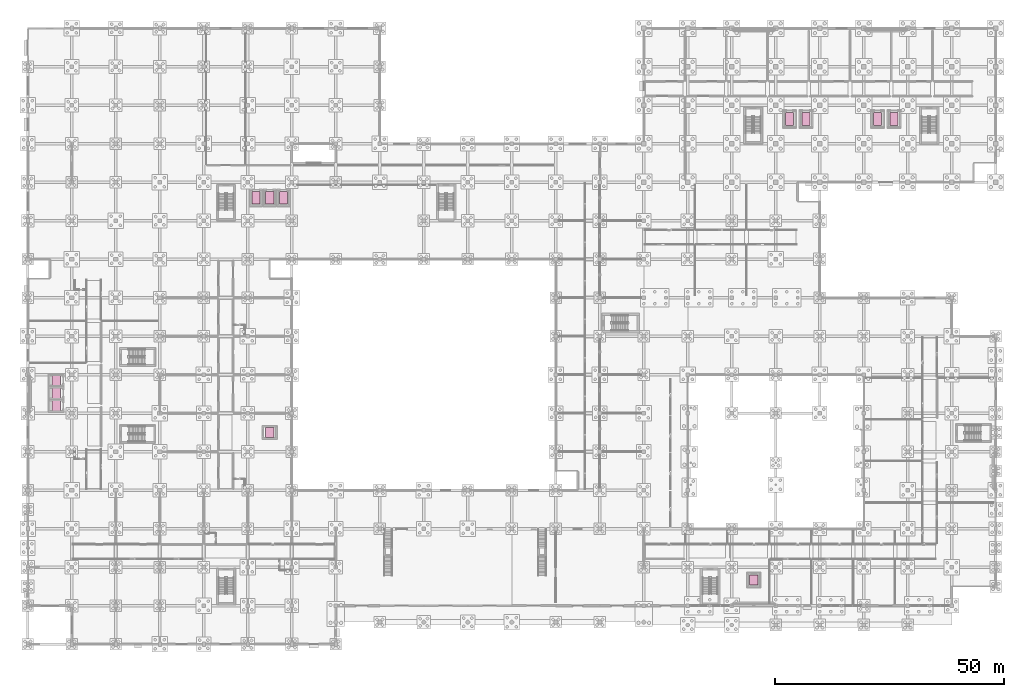
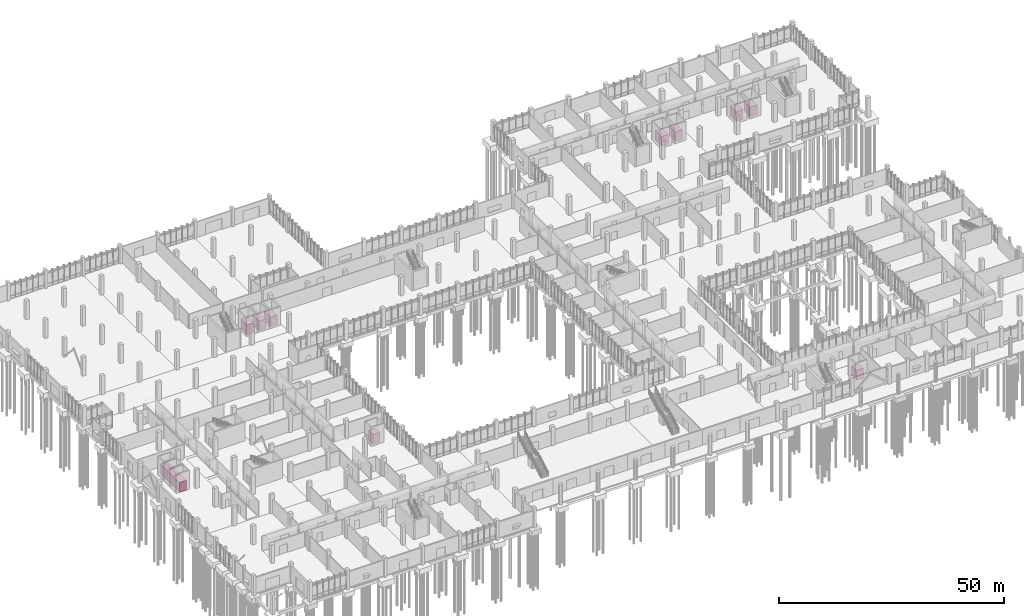
# One storey, part 136 of 136: 12 transport elements.
"""IFC4 building model written with IfcOpenShell, lengths in metres."""

from ifc_helpers import new_model, si_unit, direction, frame, origin, origin_2d, place, context, subcontext, project, spatial, rectangle, extrude, material, type_object, element, save


model = new_model("IFC4")

# Units and contexts
model_context = context("Model", 3, precision=1e-05, world=origin(), true_north=direction((0.0, 1.0)))
body_context = subcontext(model_context, "Body", "Model", "MODEL_VIEW")
ifc_project = project(units=[si_unit("LENGTHUNIT", "METRE"), si_unit("AREAUNIT", "SQUARE_METRE"), si_unit("VOLUMEUNIT", "CUBIC_METRE"), si_unit("PLANEANGLEUNIT", "RADIAN"), si_unit("MASSUNIT", "GRAM", prefix="KILO")], contexts=[model_context])

# Site, building, storey
site_placement = place(None, origin())
site = spatial("IfcSite", under=ifc_project, at=site_placement, CompositionType="ELEMENT")
building_placement = place(site_placement, origin())
building = spatial("IfcBuilding", under=site, at=building_placement, Name="Oolite Switchyard Hospital", CompositionType="ELEMENT")
storey_placement = place(building_placement, origin())
storey = spatial("IfcBuildingStorey", under=building, at=storey_placement, Name="L00", CompositionType="ELEMENT", Elevation=0.0)

# Transport elements
ifc_material = material(Name="Stainless steel hospital elevator cab assembly", Category="steel")
transport_element_type_1 = type_object("IfcTransportElementType", Name="LFT-PASS-1800", PredefinedType="ELEVATOR", material=ifc_material)
for number, where, z_axis, x_axis, name in (
    (1, (158.39990234375, 14.0, 0.0), (0.0, 0.0, 1.0), (1.0, 0.0, 0.0), "passenger EL-11"),
    (2, (52.800048828125, 46.199951171875, 0.0), (0.0, 0.0, 1.0), (1.0, 0.0, 0.0), "passenger EL-12"),
):
    element("IfcTransportElement", number, at=place(storey_placement, frame(where, z_axis=z_axis, x_axis=x_axis)), inside=storey, type_object=transport_element_type_1, Name=name, PredefinedType="ELEVATOR", context=body_context, shape_type="SweptSolid", body=[
        extrude(rectangle(XDim=1.800048828125, YDim=2.10009765625, at=origin_2d()), origin(), (0.0, 0.0, 1.0), 2.64990234375),
    ])
transport_element_type_2 = type_object("IfcTransportElementType", Name="LFT-STR-2500", PredefinedType="ELEVATOR", material=ifc_material)
for number, where, z_axis, x_axis, name in (
    (3, (166.199951171875, 114.60009765625, 0.0), (0.0, 0.0, 1.0), (1.0, 0.0, 0.0), "firefighting EL-01"),
    (4, (169.800048828125, 114.60009765625, 0.0), (0.0, 0.0, 1.0), (1.0, 0.0, 0.0), "firefighting EL-02"),
    (5, (185.39990234375, 114.60009765625, 0.0), (0.0, 0.0, 1.0), (1.0, 0.0, 0.0), "bed EL-03"),
    (6, (189.0, 114.60009765625, 0.0), (0.0, 0.0, 1.0), (1.0, 0.0, 0.0), "bed EL-04"),
    (7, (6.199951171875, 52.0, 0.0), (0.0, 0.0, 1.0), (1.0, 0.0, 0.0), "bed EL-05"),
    (8, (6.199951171875, 54.800048828125, 0.0), (0.0, 0.0, 1.0), (1.0, 0.0, 0.0), "bed EL-06"),
    (9, (6.199951171875, 57.60009765625, 0.0), (0.0, 0.0, 1.0), (1.0, 0.0, 0.0), "bed EL-07"),
    (10, (49.800048828125, 97.39990234375, 0.0), (0.0, 0.0, 1.0), (1.0, 0.0, 0.0), "bed EL-08"),
    (11, (52.800048828125, 97.39990234375, 0.0), (0.0, 0.0, 1.0), (1.0, 0.0, 0.0), "service EL-09"),
    (12, (55.800048828125, 97.39990234375, 0.0), (0.0, 0.0, 1.0), (1.0, 0.0, 0.0), "service EL-10"),
):
    element("IfcTransportElement", number, at=place(storey_placement, frame(where, z_axis=z_axis, x_axis=x_axis)), inside=storey, type_object=transport_element_type_2, Name=name, PredefinedType="ELEVATOR", context=body_context, shape_type="SweptSolid", body=[
        extrude(rectangle(XDim=1.800048828125, YDim=2.800048828125, at=origin_2d()), origin(), (0.0, 0.0, 1.0), 2.64990234375),
    ])

save(model, "model.ifc")
